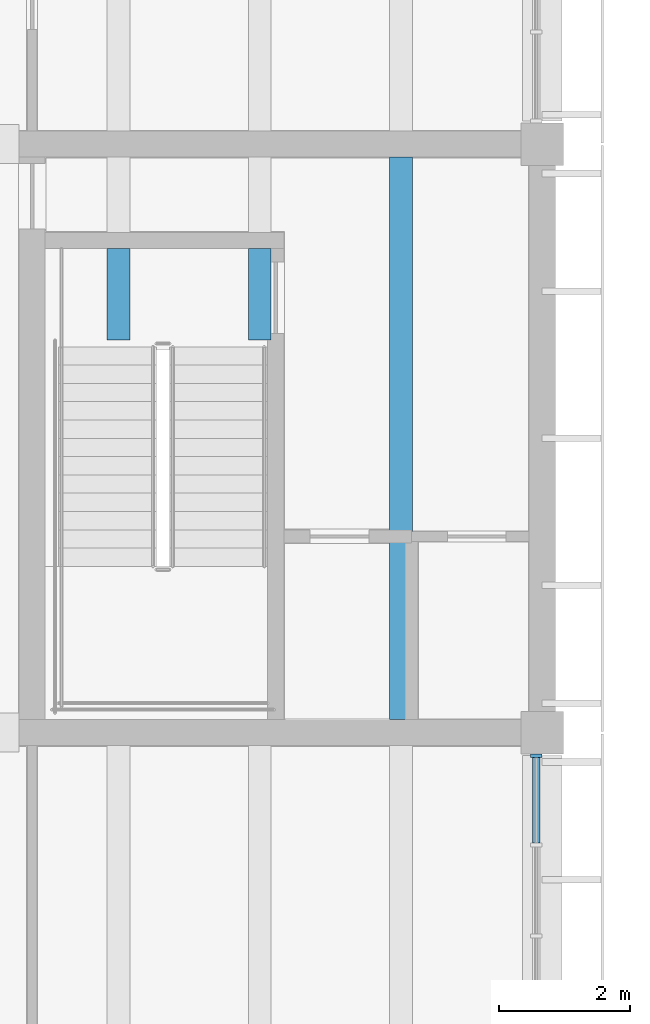
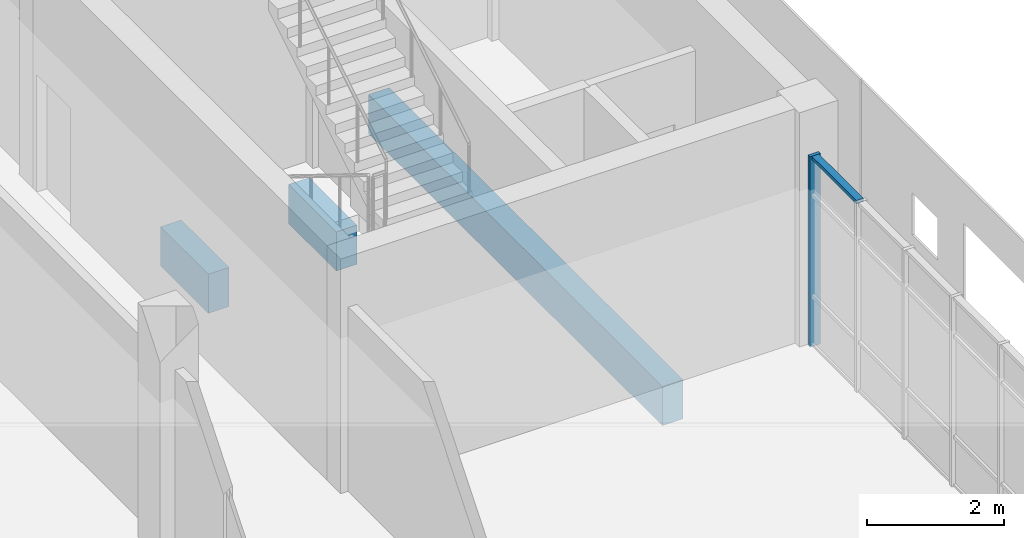
# One storey, part 15 of 92: 3 beams, 2 members, 1 element without a shape of its own.
"""IFC4 building model written with IfcOpenShell, lengths in metres."""

from ifc_helpers import new_model, si_unit, direction, frame, origin, origin_2d, place, context, subcontext, project, spatial, rectangle, extrude, material, material_profile, profile_set, type_object, element, aggregate, save


model = new_model("IFC4")

# Units and contexts
model_context = context("Model", 3, precision=1e-05, world=origin(), true_north=direction((0.0, 1.0)))
body_context = subcontext(model_context, "Body", "Model", "MODEL_VIEW")
ifc_project = project(units=[si_unit("LENGTHUNIT", "METRE"), si_unit("AREAUNIT", "SQUARE_METRE"), si_unit("VOLUMEUNIT", "CUBIC_METRE"), si_unit("PLANEANGLEUNIT", "RADIAN"), si_unit("MASSUNIT", "GRAM", prefix="KILO")], contexts=[model_context])

# Site, building, storey
site_placement = place(None, origin())
site = spatial("IfcSite", under=ifc_project, at=site_placement, CompositionType="ELEMENT")
building_placement = place(site_placement, origin())
building = spatial("IfcBuilding", under=site, at=building_placement, Name="Merrow Basin Faculty of Sciences", CompositionType="ELEMENT")
storey_placement = place(building_placement, frame((0.0, 0.0, 4.5)))
storey = spatial("IfcBuildingStorey", under=building, at=storey_placement, Name="L01", CompositionType="ELEMENT", Elevation=4.5)

# Curtain wall, members
ifc_material_1 = material(Name="Aluminium alloy 6063", Category="aluminium")
curtain_wall_type = type_object("IfcCurtainWallType", Name="Bar unitised curtain wall 180", PredefinedType="NOTDEFINED", material=ifc_material_1)
curtain_wall_placement = place(storey_placement, origin())
curtain_wall = element("IfcCurtainWall", 1, at=curtain_wall_placement, inside=storey, type_object=curtain_wall_type, Name="East curtain wall L01 3", PredefinedType="NOTDEFINED")
ifc_material_2 = material(Name="Aluminium alloy 6063", Category="aluminium")
ifc_material_profile_1 = material_profile(ifc_material_2, rectangle(XDim=0.179931640625, YDim=0.06005859375, at=origin_2d()))
ifc_profile_set_1 = profile_set([ifc_material_profile_1], Name="Aluminium alloy 6063")
member_type_1 = type_object("IfcMemberType", Name="Aluminium mullion 60x180", PredefinedType="MULLION", material=ifc_profile_set_1)
member_1_placement = place(storey_placement, frame((21.510009765625, 87.64501953125, 0.0), z_axis=(0.0, 0.0, 1.0), x_axis=(-1.0, 0.0, 0.0)))
member_1 = element("IfcMember", 2, at=member_1_placement, type_object=member_type_1, Name="CW1 mullion 7", PredefinedType="MULLION", context=body_context, shape_type="SweptSolid", body=[
    extrude(rectangle(XDim=0.179931640625, YDim=0.06005859375, at=origin_2d()), origin(), (0.0, 0.0, 1.0), 3.39990234375),
])
ifc_material_3 = material(Name="Aluminium alloy 6063", Category="aluminium")
ifc_material_profile_2 = material_profile(ifc_material_3, rectangle(XDim=0.1201171875, YDim=0.06005859375, at=origin_2d()))
ifc_profile_set_2 = profile_set([ifc_material_profile_2], Name="Aluminium alloy 6063")
member_type_2 = type_object("IfcMemberType", Name="Aluminium transom 60x120", PredefinedType="USERDEFINED", material=ifc_profile_set_2)
member_2_placement = place(storey_placement, frame((21.510009765625, 86.313232421875, 3.3701171875), z_axis=(0.0, 1.0, 0.0), x_axis=(-1.0, 0.0, 0.0)))
member_2 = element("IfcMember", 3, at=member_2_placement, type_object=member_type_2, Name="CW1 transom 6.4", ObjectType="TRANSOM", PredefinedType="USERDEFINED", context=body_context, shape_type="SweptSolid", body=[
    extrude(rectangle(XDim=0.1201171875, YDim=0.06005859375, at=origin_2d()), origin(), (0.0, 0.0, 1.0), 1.3017578125),
])
aggregate(curtain_wall, [member_1, member_2])

# Beams
ifc_material_4 = material(Name="Concrete C40/50", Category="concrete")
ifc_material_profile_3 = material_profile(ifc_material_4, rectangle(XDim=0.35009765625, YDim=0.699951171875, at=origin_2d()))
ifc_profile_set_3 = profile_set([ifc_material_profile_3], Name="Concrete C40/50")
beam_type = type_object("IfcBeamType", Name="Laboratory plant-floor joist RC350x700 C40/50", PredefinedType="BEAM", material=ifc_profile_set_3)
for number, where, z_axis, x_axis, name in (
    (4, (15.1201171875, 94.0, -0.64990234375), (0.0, 1.0, 0.0), (-1.0, 0.0, 0.0), "JP1 L01 080"),
    (5, (17.280029296875, 94.0, -0.64990234375), (0.0, 1.0, 0.0), (-1.0, 0.0, 0.0), "JP1 L01 082"),
):
    element("IfcBeam", number, at=place(storey_placement, frame(where, z_axis=z_axis, x_axis=x_axis)), inside=storey, type_object=beam_type, Name=name, PredefinedType="BEAM", context=body_context, shape_type="SweptSolid", body=[
        extrude(rectangle(XDim=0.35009765625, YDim=0.699951171875, at=origin_2d()), origin(), (0.0, 0.0, 1.0), 1.39990234375),
    ])
beam_placement = place(storey_placement, frame((19.43994140625, 88.199951171875, -0.64990234375), z_axis=(0.0, 1.0, 0.0), x_axis=(-1.0, 0.0, 0.0)))
element("IfcBeam", 6, at=beam_placement, inside=storey, type_object=beam_type, Name="JP1 L01 084", PredefinedType="BEAM", context=body_context, shape_type="SweptSolid", body=[
    extrude(rectangle(XDim=0.35009765625, YDim=0.699951171875, at=origin_2d()), origin(), (0.0, 0.0, 1.0), 8.60009765625),
])

save(model, "model.ifc")
